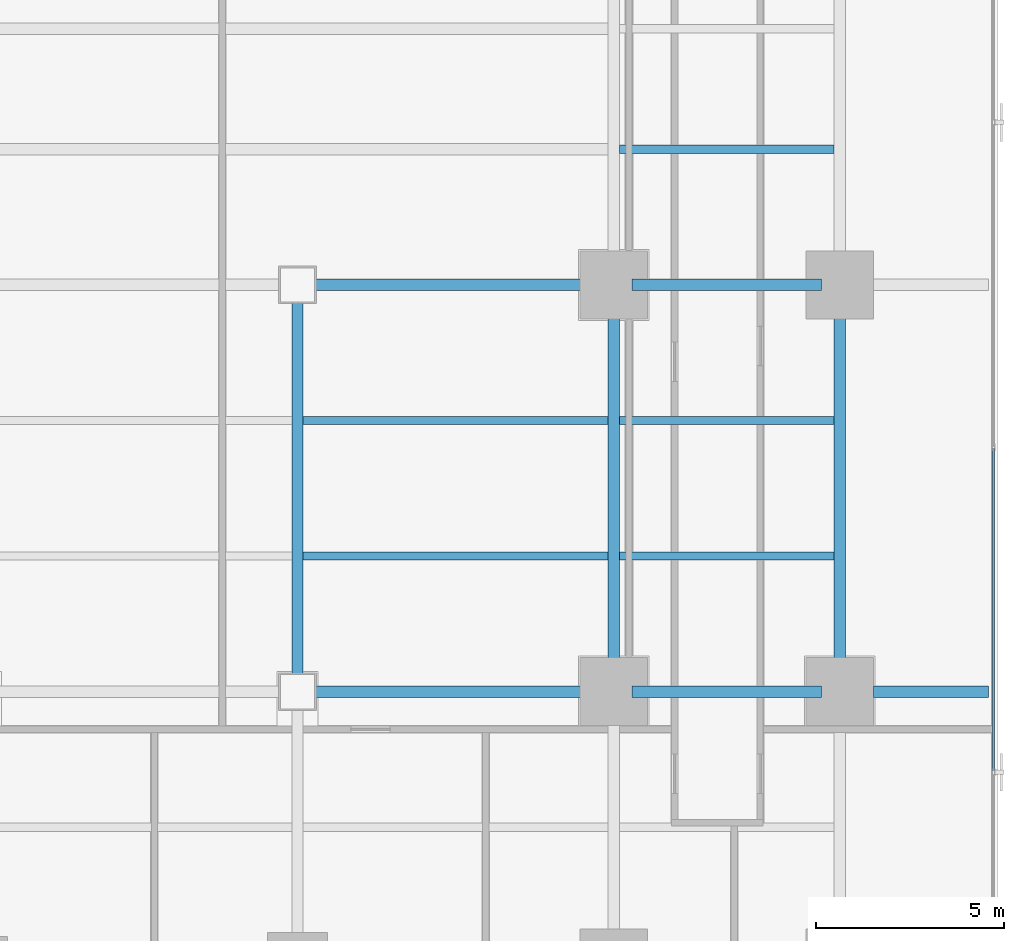
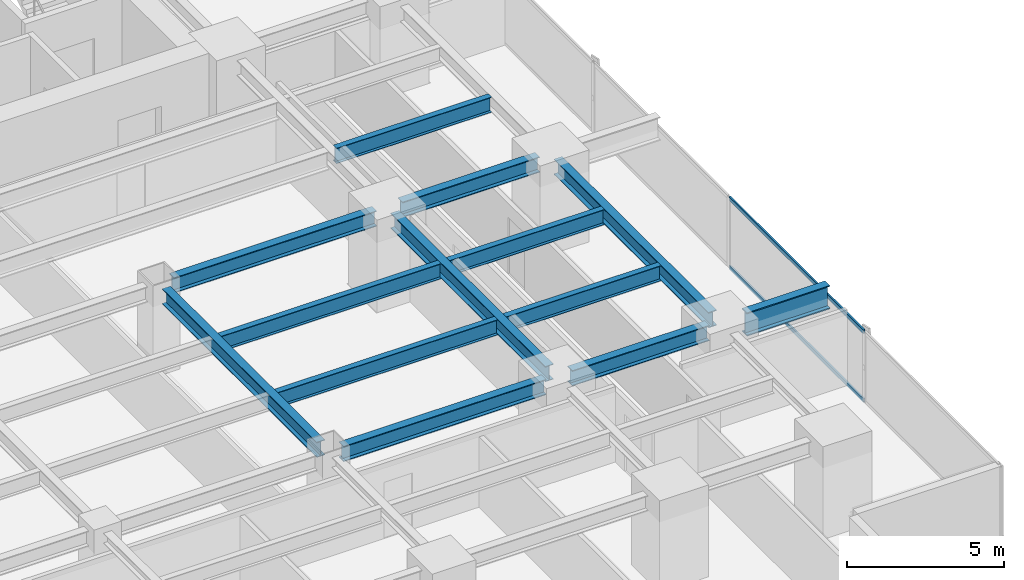
# One storey, part 14 of 33: 13 beams, 2 members, 1 element without a shape of its own.
"""IFC4 building model written with IfcOpenShell, lengths in metres."""

from ifc_helpers import new_model, si_unit, direction, frame, origin, origin_2d, place, context, subcontext, project, spatial, hollow_rectangle, i_section, extrude, source, transform, mapped, material, layer, layer_set, material_profile, profile_set, type_object, element, aggregate, save


model = new_model("IFC4")

# Units and contexts
model_context = context("Model", 3, precision=1e-05, world=origin(), true_north=direction((0.0, 1.0)))
body_context = subcontext(model_context, "Body", "Model", "MODEL_VIEW")
ifc_project = project(units=[si_unit("LENGTHUNIT", "METRE"), si_unit("AREAUNIT", "SQUARE_METRE"), si_unit("VOLUMEUNIT", "CUBIC_METRE"), si_unit("PLANEANGLEUNIT", "RADIAN"), si_unit("MASSUNIT", "GRAM", prefix="KILO")], contexts=[model_context])

# Site, building, storey
site_placement = place(None, origin())
site = spatial("IfcSite", under=ifc_project, at=site_placement, CompositionType="ELEMENT")
building_placement = place(site_placement, origin())
building = spatial("IfcBuilding", under=site, at=building_placement, Name="Sumidabori Civic Tower", CompositionType="ELEMENT")
storey_placement = place(building_placement, frame((0.0, 0.0, 59.60009765625)))
storey = spatial("IfcBuildingStorey", under=building, at=storey_placement, Name="L15", CompositionType="ELEMENT", Elevation=59.60009765625)

# Beams
ifc_material_1 = material(Name="Steel SN490", Category="steel")
ifc_material_profile_1 = material_profile(ifc_material_1, i_section(OverallWidth=0.300048828125, OverallDepth=0.60009765625, WebThickness=0.015380859375, FlangeThickness=0.030029296875, at=origin_2d()), Name="HE 600 B")
ifc_profile_set_1 = profile_set([ifc_material_profile_1], Name="Steel SN490")
beam_type_1 = type_object("IfcBeamType", Name="BM-GIRD-600", PredefinedType="BEAM", material=ifc_profile_set_1)
shared_shape_1 = source(origin(), body_context, "Body", "SweptSolid", [
    extrude(i_section(OverallWidth=0.300048828125, OverallDepth=0.60009765625, WebThickness=0.015380859375, FlangeThickness=0.030029296875, at=origin_2d()), origin(), (0.0, 0.0, 1.0), 5.0400390625),
])
for number, where, z_axis, x_axis, name in (
    (1, (17.280029296875, -10.800048828125, 3.059814453125), (1.0, 0.0, 0.0), (0.0, 1.0, 0.0), "Primary Girder L15 GX-12"),
    (2, (17.280029296875, 0.0, 3.059814453125), (1.0, 0.0, 0.0), (0.0, 1.0, 0.0), "Primary Girder L15 GX-18"),
):
    element("IfcBeam", number, at=place(storey_placement, frame(where, z_axis=z_axis, x_axis=x_axis)), inside=storey, type_object=beam_type_1, Name=name, PredefinedType="BEAM", context=body_context, shape_type="MappedRepresentation", body=[
        mapped(shared_shape_1, transform((0.0, 0.0, 0.0), x_axis=(1.0, 0.0, 0.0), y_axis=(0.0, 1.0, 0.0), z_axis=(0.0, 0.0, 1.0), scale=1.0)),
    ])
shared_shape_2 = source(origin(), body_context, "Body", "SweptSolid", [
    extrude(i_section(OverallWidth=0.300048828125, OverallDepth=0.60009765625, WebThickness=0.015380859375, FlangeThickness=0.030029296875, at=origin_2d()), origin(), (0.0, 0.0, 1.0), 7.440185546875),
])
for number, where, z_axis, x_axis, name in (
    (3, (8.8798828125, -10.800048828125, 3.059814453125), (1.0, 0.0, 0.0), (0.0, 1.0, 0.0), "Primary Girder L15 GX-11"),
    (4, (8.8798828125, 0.0, 3.059814453125), (1.0, 0.0, 0.0), (0.0, 1.0, 0.0), "Primary Girder L15 GX-17"),
):
    element("IfcBeam", number, at=place(storey_placement, frame(where, z_axis=z_axis, x_axis=x_axis)), inside=storey, type_object=beam_type_1, Name=name, PredefinedType="BEAM", context=body_context, shape_type="MappedRepresentation", body=[
        mapped(shared_shape_2, transform((0.0, 0.0, 0.0), x_axis=(1.0, 0.0, 0.0), y_axis=(0.0, 1.0, 0.0), z_axis=(0.0, 0.0, 1.0), scale=1.0)),
    ])
shared_shape_3 = source(origin(), body_context, "Body", "SweptSolid", [
    extrude(i_section(OverallWidth=0.300048828125, OverallDepth=0.60009765625, WebThickness=0.015380859375, FlangeThickness=0.030029296875, at=origin_2d()), origin(), (0.0, 0.0, 1.0), 9.840087890625),
])
for number, where, z_axis, x_axis, name in (
    (5, (8.39990234375, -10.320068359375, 3.059814453125), (0.0, 1.0, 0.0), (-1.0, 0.0, 0.0), "Primary Girder L15 GY-34"),
    (6, (16.800048828125, -10.320068359375, 3.059814453125), (0.0, 1.0, 0.0), (-1.0, 0.0, 0.0), "Primary Girder L15 GY-36"),
    (7, (22.800048828125, -10.320068359375, 3.059814453125), (0.0, 1.0, 0.0), (-1.0, 0.0, 0.0), "Primary Girder L15 GY-40"),
):
    element("IfcBeam", number, at=place(storey_placement, frame(where, z_axis=z_axis, x_axis=x_axis)), inside=storey, type_object=beam_type_1, Name=name, PredefinedType="BEAM", context=body_context, shape_type="MappedRepresentation", body=[
        mapped(shared_shape_3, transform((0.0, 0.0, 0.0), x_axis=(1.0, 0.0, 0.0), y_axis=(0.0, 1.0, 0.0), z_axis=(0.0, 0.0, 1.0), scale=1.0)),
    ])
ifc_material_profile_2 = material_profile(ifc_material_1, i_section(OverallWidth=0.302001953125, OverallDepth=0.909912109375, WebThickness=0.02099609375, FlangeThickness=0.0400390625, at=origin_2d()), Name="HE 900 M")
ifc_profile_set_2 = profile_set([ifc_material_profile_2], Name="Steel SN490")
beam_type_2 = type_object("IfcBeamType", Name="BM-Z1-EDGE", PredefinedType="SPANDREL", material=ifc_profile_set_2)
shared_shape_4 = source(origin(), body_context, "Body", "SweptSolid", [
    extrude(i_section(OverallWidth=0.302001953125, OverallDepth=0.909912109375, WebThickness=0.02099609375, FlangeThickness=0.0400390625, at=origin_2d()), origin(), (0.0, 0.0, 1.0), 3.050048828125),
])
beam_placement = place(storey_placement, frame((23.699951171875, -10.800048828125, 2.90478515625), z_axis=(1.0, 0.0, 0.0), x_axis=(0.0, 1.0, 0.0)))
element("IfcBeam", 8, at=beam_placement, inside=storey, type_object=beam_type_2, Name="Perimeter Overhang Beam L15 E-43", PredefinedType="SPANDREL", context=body_context, shape_type="MappedRepresentation", body=[
    mapped(shared_shape_4, transform((0.0, 0.0, 0.0), x_axis=(1.0, 0.0, 0.0), y_axis=(0.0, 1.0, 0.0), z_axis=(0.0, 0.0, 1.0), scale=1.0)),
])
ifc_material_profile_3 = material_profile(ifc_material_1, i_section(OverallWidth=0.219970703125, OverallDepth=0.60009765625, WebThickness=0.011962890625, FlangeThickness=0.01904296875, at=origin_2d()), Name="IPE 600")
ifc_profile_set_3 = profile_set([ifc_material_profile_3], Name="Steel SN490")
beam_type_3 = type_object("IfcBeamType", Name="BM-JST-600", PredefinedType="JOIST", material=ifc_profile_set_3)
shared_shape_5 = source(origin(), body_context, "Body", "SweptSolid", [
    extrude(i_section(OverallWidth=0.219970703125, OverallDepth=0.60009765625, WebThickness=0.011962890625, FlangeThickness=0.01904296875, at=origin_2d()), origin(), (0.0, 0.0, 1.0), 5.699951171875),
])
for number, where, z_axis, x_axis, name in (
    (9, (16.949951171875, -7.199951171875, 3.059814453125), (1.0, 0.0, 0.0), (0.0, 1.0, 0.0), "Outer Bay Floor Joist L15 JSTO-50"),
    (10, (16.949951171875, -3.60009765625, 3.059814453125), (1.0, 0.0, 0.0), (0.0, 1.0, 0.0), "Outer Bay Floor Joist L15 JSTO-52"),
    (11, (16.949951171875, 3.60009765625, 3.059814453125), (1.0, 0.0, 0.0), (0.0, 1.0, 0.0), "Outer Bay Floor Joist L15 JSTO-54"),
):
    element("IfcBeam", number, at=place(storey_placement, frame(where, z_axis=z_axis, x_axis=x_axis)), inside=storey, type_object=beam_type_3, Name=name, PredefinedType="JOIST", context=body_context, shape_type="MappedRepresentation", body=[
        mapped(shared_shape_5, transform((0.0, 0.0, 0.0), x_axis=(1.0, 0.0, 0.0), y_axis=(0.0, 1.0, 0.0), z_axis=(0.0, 0.0, 1.0), scale=1.0)),
    ])
shared_shape_6 = source(origin(), body_context, "Body", "SweptSolid", [
    extrude(i_section(OverallWidth=0.219970703125, OverallDepth=0.60009765625, WebThickness=0.011962890625, FlangeThickness=0.01904296875, at=origin_2d()), origin(), (0.0, 0.0, 1.0), 8.099853515625),
])
for number, where, z_axis, x_axis, name in (
    (12, (8.550048828125, -7.199951171875, 3.059814453125), (1.0, 0.0, 0.0), (0.0, 1.0, 0.0), "South Bay Floor Joist L15 JSTS-68"),
    (13, (8.550048828125, -3.60009765625, 3.059814453125), (1.0, 0.0, 0.0), (0.0, 1.0, 0.0), "South Bay Floor Joist L15 JSTS-72"),
):
    element("IfcBeam", number, at=place(storey_placement, frame(where, z_axis=z_axis, x_axis=x_axis)), inside=storey, type_object=beam_type_3, Name=name, PredefinedType="JOIST", context=body_context, shape_type="MappedRepresentation", body=[
        mapped(shared_shape_6, transform((0.0, 0.0, 0.0), x_axis=(1.0, 0.0, 0.0), y_axis=(0.0, 1.0, 0.0), z_axis=(0.0, 0.0, 1.0), scale=1.0)),
    ])

# Curtain wall, members
ifc_material_2 = material(Name="Anodised Bronze Aluminium AW-6063-T6", Category="aluminium")
ifc_layer = layer(ifc_material_2, 0.179931640625, Name="Anodised Bronze Aluminium AW-6063-T6")
ifc_layer_set = layer_set([ifc_layer], Name="Anodised Bronze Aluminium AW-6063-T6")
curtain_wall_type = type_object("IfcCurtainWallType", Name="CW-SYS-2", PredefinedType="NOTDEFINED", material=ifc_layer_set)
curtain_wall_placement = place(storey_placement, origin())
curtain_wall = element("IfcCurtainWall", 14, at=curtain_wall_placement, inside=storey, type_object=curtain_wall_type, Name="Curtain Wall CW:L15:R04", PredefinedType="NOTDEFINED")
ifc_material_profile_4 = material_profile(ifc_material_2, hollow_rectangle(XDim=0.06494140625, YDim=0.14990234375, WallThickness=0.0048828125, at=origin_2d()), Name="ALU TRANSOM 150x65")
ifc_profile_set_4 = profile_set([ifc_material_profile_4], Name="Anodised Bronze Aluminium AW-6063-T6")
member_type = type_object("IfcMemberType", Name="CW-TRN-150", PredefinedType="USERDEFINED", material=ifc_profile_set_4)
shared_shape_7 = source(origin(), body_context, "Body", "SweptSolid", [
    extrude(hollow_rectangle(XDim=0.06494140625, YDim=0.14990234375, WallThickness=0.0048828125, at=origin_2d()), origin(), (0.0, 0.0, 1.0), 8.557861328125),
])
member_1_placement = place(storey_placement, frame((26.8798828125, -12.906982421875, 0.032470703125), z_axis=(0.0, 1.0, 0.0), x_axis=(-1.0, 0.0, 0.0)))
member_1 = element("IfcMember", 15, at=member_1_placement, type_object=member_type, Name="CW-2 transom 2.1", ObjectType="TRANSOM", PredefinedType="USERDEFINED", context=body_context, shape_type="MappedRepresentation", body=[
    mapped(shared_shape_7, transform((0.0, 0.0, 0.0), x_axis=(1.0, 0.0, 0.0), y_axis=(0.0, 1.0, 0.0), z_axis=(0.0, 0.0, 1.0), scale=1.0)),
])
member_2_placement = place(storey_placement, frame((26.8798828125, -12.906982421875, 2.70751953125), z_axis=(0.0, 1.0, 0.0), x_axis=(-1.0, 0.0, 0.0)))
member_2 = element("IfcMember", 16, at=member_2_placement, type_object=member_type, Name="CW-2 transom 2.2", ObjectType="TRANSOM", PredefinedType="USERDEFINED", context=body_context, shape_type="MappedRepresentation", body=[
    mapped(shared_shape_7, transform((0.0, 0.0, 0.0), x_axis=(1.0, 0.0, 0.0), y_axis=(0.0, 1.0, 0.0), z_axis=(0.0, 0.0, 1.0), scale=1.0)),
])
aggregate(curtain_wall, [member_1, member_2])

save(model, "model.ifc")
